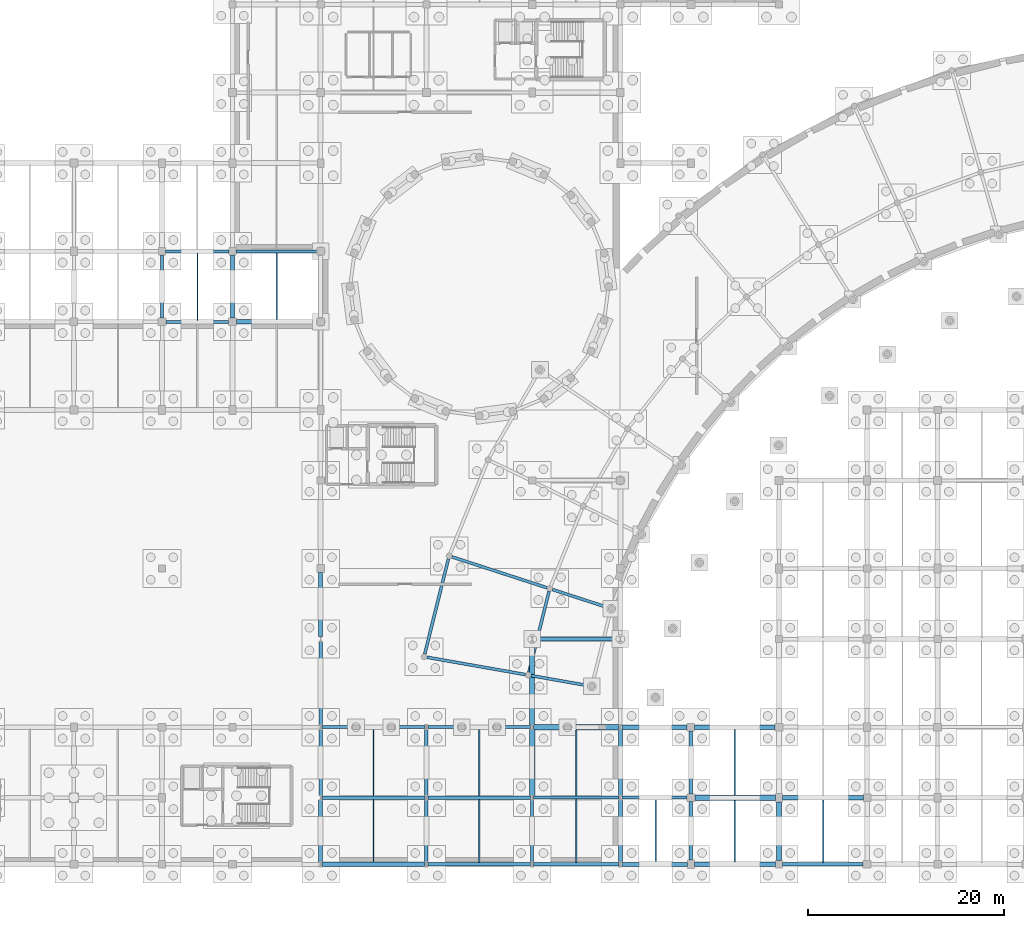
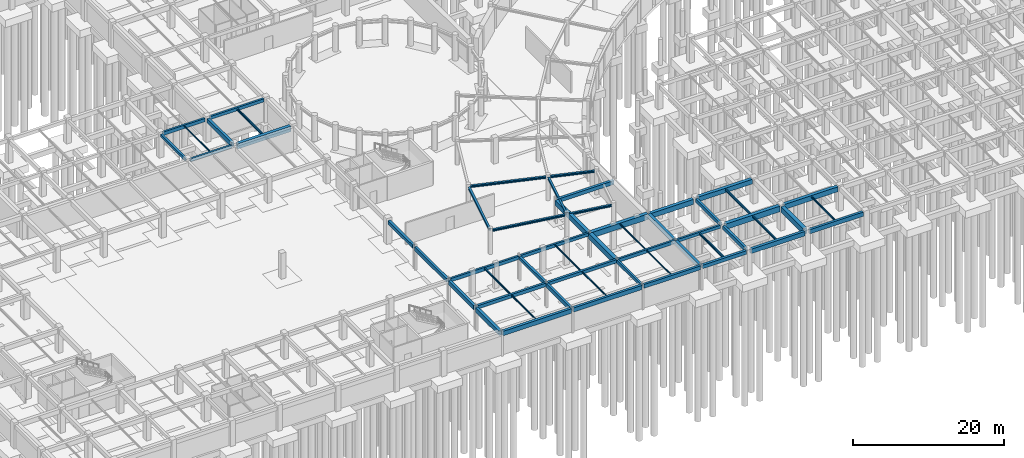
# One storey, part 19 of 42: 56 beams.
"""IFC4 building model written with IfcOpenShell, lengths in metres."""

from ifc_helpers import new_model, si_unit, direction, frame, origin, origin_2d, place, context, subcontext, project, spatial, rectangle, i_section, extrude, material, material_profile, profile_set, type_object, element, save


model = new_model("IFC4")

# Units and contexts
model_context = context("Model", 3, precision=1e-05, world=origin(), true_north=direction((0.0, 1.0)))
body_context = subcontext(model_context, "Body", "Model", "MODEL_VIEW")
ifc_project = project(units=[si_unit("LENGTHUNIT", "METRE"), si_unit("AREAUNIT", "SQUARE_METRE"), si_unit("VOLUMEUNIT", "CUBIC_METRE"), si_unit("PLANEANGLEUNIT", "RADIAN"), si_unit("MASSUNIT", "GRAM", prefix="KILO")], contexts=[model_context])

# Site, building, storey
site_placement = place(None, origin())
site = spatial("IfcSite", under=ifc_project, at=site_placement, CompositionType="ELEMENT")
building_placement = place(site_placement, origin())
building = spatial("IfcBuilding", under=site, at=building_placement, Name="Clarverna Civic Hall", CompositionType="ELEMENT")
storey_placement = place(building_placement, frame((0.0, 0.0, -4.199951171875)))
storey = spatial("IfcBuildingStorey", under=building, at=storey_placement, Name="B01", CompositionType="ELEMENT", Elevation=-4.199951171875)

# Beams
ifc_material_1 = material(Name="Concrete C35/45", Category="concrete")
ifc_material_profile_1 = material_profile(ifc_material_1, rectangle(XDim=0.5, YDim=0.85009765625, at=origin_2d()), Name="RC 500x850")
ifc_profile_set_1 = profile_set([ifc_material_profile_1], Name="Concrete C35/45")
beam_type_1 = type_object("IfcBeamType", Name="B-RC1", PredefinedType="BEAM", material=ifc_profile_set_1)
beam_1_placement = place(storey_placement, frame((58.0, 55.39990234375, 3.4150390625), z_axis=(1.0, 0.0, 0.0), x_axis=(0.0, 1.0, 0.0)))
element("IfcBeam", 1, at=beam_1_placement, inside=storey, type_object=beam_type_1, Name="B-RC1-004", PredefinedType="BEAM", context=body_context, shape_type="SweptSolid", body=[
    extrude(rectangle(XDim=0.5, YDim=0.85009765625, at=origin_2d()), origin(), (0.0, 0.0, 1.0), 8.199951171875),
])
ifc_material_profile_2 = material_profile(ifc_material_1, rectangle(XDim=0.35009765625, YDim=0.5, at=origin_2d()), Name="RC 350x500")
ifc_profile_set_2 = profile_set([ifc_material_profile_2], Name="Concrete C35/45")
beam_type_2 = type_object("IfcBeamType", Name="B-RC10", PredefinedType="BEAM", material=ifc_profile_set_2)
beam_2_placement = place(storey_placement, frame((77.550048828125, 6.800048828125, 3.699951171875), z_axis=(1.0, 0.0, 0.0), x_axis=(0.0, 1.0, 0.0)))
element("IfcBeam", 2, at=beam_2_placement, inside=storey, type_object=beam_type_2, Name="B-RC10-001", PredefinedType="BEAM", context=body_context, shape_type="SweptSolid", body=[
    extrude(rectangle(XDim=0.35009765625, YDim=0.5, at=origin_2d()), origin(), (0.0, 0.0, 1.0), 10.5),
])
ifc_material_profile_3 = material_profile(ifc_material_1, rectangle(XDim=0.300048828125, YDim=0.550048828125, at=origin_2d()), Name="RC 300x550")
ifc_profile_set_3 = profile_set([ifc_material_profile_3], Name="Concrete C35/45")
beam_type_3 = type_object("IfcBeamType", Name="B-RC11", PredefinedType="BEAM", material=ifc_profile_set_3)
beam_3_placement = place(storey_placement, frame((88.35009765625, 6.800048828125, 3.675048828125), z_axis=(1.0, 0.0, 0.0), x_axis=(0.0, 1.0, 0.0)))
element("IfcBeam", 3, at=beam_3_placement, inside=storey, type_object=beam_type_3, Name="B-RC11-001", PredefinedType="BEAM", context=body_context, shape_type="SweptSolid", body=[
    extrude(rectangle(XDim=0.300048828125, YDim=0.550048828125, at=origin_2d()), origin(), (0.0, 0.0, 1.0), 8.699951171875),
])
beam_4_placement = place(storey_placement, frame((66.75, 14.0, 3.675048828125), z_axis=(1.0, 0.0, 0.0), x_axis=(0.0, 1.0, 0.0)))
element("IfcBeam", 4, at=beam_4_placement, inside=storey, type_object=beam_type_3, Name="B-RC11-002", PredefinedType="BEAM", context=body_context, shape_type="SweptSolid", body=[
    extrude(rectangle(XDim=0.300048828125, YDim=0.550048828125, at=origin_2d()), origin(), (0.0, 0.0, 1.0), 10.5),
])
beam_5_placement = place(storey_placement, frame((50.77490234375, 62.60009765625, 3.56494140625), z_axis=(1.0, 0.0, 0.0), x_axis=(0.0, 1.0, 0.0)))
element("IfcBeam", 5, at=beam_5_placement, inside=storey, type_object=beam_type_3, Name="B-RC11-006", PredefinedType="BEAM", context=body_context, shape_type="SweptSolid", body=[
    extrude(rectangle(XDim=0.300048828125, YDim=0.550048828125, at=origin_2d()), origin(), (0.0, 0.0, 1.0), 6.4501953125),
])
ifc_material_profile_4 = material_profile(ifc_material_1, rectangle(XDim=0.300048828125, YDim=0.5, at=origin_2d()), Name="RC 300x500")
ifc_profile_set_4 = profile_set([ifc_material_profile_4], Name="Concrete C35/45")
beam_type_4 = type_object("IfcBeamType", Name="B-RC12", PredefinedType="BEAM", material=ifc_profile_set_4)
beam_6_placement = place(storey_placement, frame((97.35009765625, 6.800048828125, 3.699951171875), z_axis=(1.0, 0.0, 0.0), x_axis=(0.0, 1.0, 0.0)))
element("IfcBeam", 6, at=beam_6_placement, inside=storey, type_object=beam_type_4, Name="B-RC12-001", PredefinedType="BEAM", context=body_context, shape_type="SweptSolid", body=[
    extrude(rectangle(XDim=0.300048828125, YDim=0.5, at=origin_2d()), origin(), (0.0, 0.0, 1.0), 6.64990234375),
])
beam_7_placement = place(storey_placement, frame((77.550048828125, 14.0, 3.699951171875), z_axis=(1.0, 0.0, 0.0), x_axis=(0.0, 1.0, 0.0)))
element("IfcBeam", 7, at=beam_7_placement, inside=storey, type_object=beam_type_4, Name="B-RC12-002", PredefinedType="BEAM", context=body_context, shape_type="SweptSolid", body=[
    extrude(rectangle(XDim=0.300048828125, YDim=0.5, at=origin_2d()), origin(), (0.0, 0.0, 1.0), 10.5),
])
beam_8_placement = place(storey_placement, frame((57.97509765625, 62.60009765625, 3.58984375), z_axis=(1.0, 0.0, 0.0), x_axis=(0.0, 1.0, 0.0)))
element("IfcBeam", 8, at=beam_8_placement, inside=storey, type_object=beam_type_4, Name="B-RC12-006", PredefinedType="BEAM", context=body_context, shape_type="SweptSolid", body=[
    extrude(rectangle(XDim=0.300048828125, YDim=0.5, at=origin_2d()), origin(), (0.0, 0.0, 1.0), 8.25),
])
beam_9_placement = place(storey_placement, frame((88.199951171875, 0.25, 3.699951171875), z_axis=(0.0, 1.0, 0.0), x_axis=(-1.0, 0.0, 0.0)))
element("IfcBeam", 9, at=beam_9_placement, inside=storey, type_object=beam_type_4, Name="B-RC12-013", PredefinedType="BEAM", context=body_context, shape_type="SweptSolid", body=[
    extrude(rectangle(XDim=0.300048828125, YDim=0.5, at=origin_2d()), origin(), (0.0, 0.0, 1.0), 6.300048828125),
])
ifc_material_profile_5 = material_profile(ifc_material_1, rectangle(XDim=0.550048828125, YDim=0.89990234375, at=origin_2d()), Name="RC 550x900")
ifc_profile_set_5 = profile_set([ifc_material_profile_5], Name="Concrete C35/45")
beam_type_5 = type_object("IfcBeamType", Name="B-RC13", PredefinedType="BEAM", material=ifc_profile_set_5)
beam_10_placement = place(storey_placement, frame((104.800048828125, 6.800048828125, 3.5), z_axis=(1.0, 0.0, 0.0), x_axis=(0.0, 1.0, 0.0)))
element("IfcBeam", 10, at=beam_10_placement, inside=storey, type_object=beam_type_5, Name="B-RC13-001", PredefinedType="BEAM", context=body_context, shape_type="SweptSolid", body=[
    extrude(rectangle(XDim=0.550048828125, YDim=0.89990234375, at=origin_2d()), origin(), (0.0, 0.0, 1.0), 8.25),
])
beam_11_placement = place(storey_placement, frame((88.35009765625, 14.0, 3.5), z_axis=(1.0, 0.0, 0.0), x_axis=(0.0, 1.0, 0.0)))
element("IfcBeam", 11, at=beam_11_placement, inside=storey, type_object=beam_type_5, Name="B-RC13-002", PredefinedType="BEAM", context=body_context, shape_type="SweptSolid", body=[
    extrude(rectangle(XDim=0.550048828125, YDim=0.89990234375, at=origin_2d()), origin(), (0.0, 0.0, 1.0), 8.699951171875),
])
beam_12_placement = place(storey_placement, frame((88.199951171875, 7.050048828125, 3.5), z_axis=(0.0, 1.0, 0.0), x_axis=(-1.0, 0.0, 0.0)))
element("IfcBeam", 12, at=beam_12_placement, inside=storey, type_object=beam_type_5, Name="B-RC13-011", PredefinedType="BEAM", context=body_context, shape_type="SweptSolid", body=[
    extrude(rectangle(XDim=0.550048828125, YDim=0.89990234375, at=origin_2d()), origin(), (0.0, 0.0, 1.0), 6.699951171875),
])
beam_13_placement = place(storey_placement, frame((113.39990234375, 0.375, 3.5), z_axis=(0.0, 1.0, 0.0), x_axis=(-1.0, 0.0, 0.0)))
element("IfcBeam", 13, at=beam_13_placement, inside=storey, type_object=beam_type_5, Name="B-RC13-012", PredefinedType="BEAM", context=body_context, shape_type="SweptSolid", body=[
    extrude(rectangle(XDim=0.550048828125, YDim=0.89990234375, at=origin_2d()), origin(), (0.0, 0.0, 1.0), 5.97509765625),
])
ifc_material_profile_6 = material_profile(ifc_material_1, rectangle(XDim=0.5, YDim=0.800048828125, at=origin_2d()), Name="RC 500x800")
ifc_profile_set_6 = profile_set([ifc_material_profile_6], Name="Concrete C35/45")
beam_type_6 = type_object("IfcBeamType", Name="B-RC14", PredefinedType="BEAM", material=ifc_profile_set_6)
beam_14_placement = place(storey_placement, frame((113.75, 6.800048828125, 3.550048828125), z_axis=(1.0, 0.0, 0.0), x_axis=(0.0, 1.0, 0.0)))
element("IfcBeam", 14, at=beam_14_placement, inside=storey, type_object=beam_type_6, Name="B-RC14-001", PredefinedType="BEAM", context=body_context, shape_type="SweptSolid", body=[
    extrude(rectangle(XDim=0.5, YDim=0.800048828125, at=origin_2d()), origin(), (0.0, 0.0, 1.0), 8.27490234375),
])
beam_15_placement = place(storey_placement, frame((97.35009765625, 14.0, 3.43994140625), z_axis=(1.0, 0.0, 0.0), x_axis=(0.0, 1.0, 0.0)))
element("IfcBeam", 15, at=beam_15_placement, inside=storey, type_object=beam_type_6, Name="B-RC14-002", PredefinedType="BEAM", context=body_context, shape_type="SweptSolid", body=[
    extrude(rectangle(XDim=0.5, YDim=0.800048828125, at=origin_2d()), origin(), (0.0, 0.0, 1.0), 6.6748046875),
])
beam_16_placement = place(storey_placement, frame((88.199951171875, 14.25, 3.43994140625), z_axis=(0.0, 1.0, 0.0), x_axis=(-1.0, 0.0, 0.0)))
element("IfcBeam", 16, at=beam_16_placement, inside=storey, type_object=beam_type_6, Name="B-RC14-012", PredefinedType="BEAM", context=body_context, shape_type="SweptSolid", body=[
    extrude(rectangle(XDim=0.5, YDim=0.800048828125, at=origin_2d()), origin(), (0.0, 0.0, 1.0), 8.5),
])
ifc_material_profile_7 = material_profile(ifc_material_1, rectangle(XDim=0.5, YDim=0.75, at=origin_2d()), Name="RC 500x750")
ifc_profile_set_7 = profile_set([ifc_material_profile_7], Name="Concrete C35/45")
beam_type_7 = type_object("IfcBeamType", Name="B-RC15", PredefinedType="BEAM", material=ifc_profile_set_7)
beam_17_placement = place(storey_placement, frame((104.77490234375, 14.0, 3.574951171875), z_axis=(1.0, 0.0, 0.0), x_axis=(0.0, 1.0, 0.0)))
element("IfcBeam", 17, at=beam_17_placement, inside=storey, type_object=beam_type_7, Name="B-RC15-002", PredefinedType="BEAM", context=body_context, shape_type="SweptSolid", body=[
    extrude(rectangle(XDim=0.5, YDim=0.75, at=origin_2d()), origin(), (0.0, 0.0, 1.0), 8.22509765625),
])
ifc_material_profile_8 = material_profile(ifc_material_1, rectangle(XDim=0.300048828125, YDim=0.449951171875, at=origin_2d()), Name="RC 300x450")
ifc_profile_set_8 = profile_set([ifc_material_profile_8], Name="Concrete C35/45")
beam_type_8 = type_object("IfcBeamType", Name="B-RC18", PredefinedType="BEAM", material=ifc_profile_set_8)
beam_18_placement = place(storey_placement, frame((50.800048828125, 55.39990234375, 3.614990234375), z_axis=(1.0, 0.0, 0.0), x_axis=(0.0, 1.0, 0.0)))
element("IfcBeam", 18, at=beam_18_placement, inside=storey, type_object=beam_type_8, Name="B-RC18-005", PredefinedType="BEAM", context=body_context, shape_type="SweptSolid", body=[
    extrude(rectangle(XDim=0.300048828125, YDim=0.449951171875, at=origin_2d()), origin(), (0.0, 0.0, 1.0), 6.39990234375),
])
beam_19_placement = place(storey_placement, frame((50.39990234375, 55.800048828125, 3.614990234375), z_axis=(0.0, 1.0, 0.0), x_axis=(-1.0, 0.0, 0.0)))
element("IfcBeam", 19, at=beam_19_placement, inside=storey, type_object=beam_type_8, Name="B-RC18-010", PredefinedType="BEAM", context=body_context, shape_type="SweptSolid", body=[
    extrude(rectangle(XDim=0.300048828125, YDim=0.449951171875, at=origin_2d()), origin(), (0.0, 0.0, 1.0), 6.425048828125),
])
ifc_material_profile_9 = material_profile(ifc_material_1, rectangle(XDim=0.39990234375, YDim=0.699951171875, at=origin_2d()), Name="RC 400x700")
ifc_profile_set_9 = profile_set([ifc_material_profile_9], Name="Concrete C35/45")
beam_type_9 = type_object("IfcBeamType", Name="B-RC5", PredefinedType="BEAM", material=ifc_profile_set_9)
beam_20_placement = place(storey_placement, frame((57.60009765625, 55.800048828125, 3.489990234375), z_axis=(0.0, 1.0, 0.0), x_axis=(-1.0, 0.0, 0.0)))
element("IfcBeam", 20, at=beam_20_placement, inside=storey, type_object=beam_type_9, Name="B-RC5-013", PredefinedType="BEAM", context=body_context, shape_type="SweptSolid", body=[
    extrude(rectangle(XDim=0.39990234375, YDim=0.699951171875, at=origin_2d()), origin(), (0.0, 0.0, 1.0), 6.425048828125),
])
ifc_material_profile_10 = material_profile(ifc_material_1, rectangle(XDim=0.39990234375, YDim=0.60009765625, at=origin_2d()), Name="RC 400x600")
ifc_profile_set_10 = profile_set([ifc_material_profile_10], Name="Concrete C35/45")
beam_type_10 = type_object("IfcBeamType", Name="B-RC7", PredefinedType="BEAM", material=ifc_profile_set_10)
beam_21_placement = place(storey_placement, frame((88.35009765625, 23.0, 3.5400390625), z_axis=(1.0, 0.0, 0.0), x_axis=(0.0, 1.0, 0.0)))
element("IfcBeam", 21, at=beam_21_placement, inside=storey, type_object=beam_type_10, Name="B-RC7-002", PredefinedType="BEAM", context=body_context, shape_type="SweptSolid", body=[
    extrude(rectangle(XDim=0.39990234375, YDim=0.60009765625, at=origin_2d()), origin(), (0.0, 0.0, 1.0), 8.699951171875),
])
ifc_material_profile_11 = material_profile(ifc_material_1, rectangle(XDim=0.35009765625, YDim=0.60009765625, at=origin_2d()), Name="RC 350x600")
ifc_profile_set_11 = profile_set([ifc_material_profile_11], Name="Concrete C35/45")
beam_type_11 = type_object("IfcBeamType", Name="B-RC8", PredefinedType="BEAM", material=ifc_profile_set_11)
beam_22_placement = place(storey_placement, frame((77.39990234375, 0.25, 3.64990234375), z_axis=(0.0, 1.0, 0.0), x_axis=(-1.0, 0.0, 0.0)))
element("IfcBeam", 22, at=beam_22_placement, inside=storey, type_object=beam_type_11, Name="B-RC8-011", PredefinedType="BEAM", context=body_context, shape_type="SweptSolid", body=[
    extrude(rectangle(XDim=0.35009765625, YDim=0.60009765625, at=origin_2d()), origin(), (0.0, 0.0, 1.0), 6.300048828125),
])
beam_23_placement = place(storey_placement, frame((104.39990234375, 0.449951171875, 3.64990234375), z_axis=(0.0, 1.0, 0.0), x_axis=(-1.0, 0.0, 0.0)))
element("IfcBeam", 23, at=beam_23_placement, inside=storey, type_object=beam_type_11, Name="B-RC8-012", PredefinedType="BEAM", context=body_context, shape_type="SweptSolid", body=[
    extrude(rectangle(XDim=0.35009765625, YDim=0.60009765625, at=origin_2d()), origin(), (0.0, 0.0, 1.0), 5.949951171875),
])
ifc_material_profile_12 = material_profile(ifc_material_1, rectangle(XDim=0.35009765625, YDim=0.550048828125, at=origin_2d()), Name="RC 350x550")
ifc_profile_set_12 = profile_set([ifc_material_profile_12], Name="Concrete C35/45")
beam_type_12 = type_object("IfcBeamType", Name="B-RC9", PredefinedType="BEAM", material=ifc_profile_set_12)
beam_24_placement = place(storey_placement, frame((66.75, 6.800048828125, 3.675048828125), z_axis=(1.0, 0.0, 0.0), x_axis=(0.0, 1.0, 0.0)))
element("IfcBeam", 24, at=beam_24_placement, inside=storey, type_object=beam_type_12, Name="B-RC9-001", PredefinedType="BEAM", context=body_context, shape_type="SweptSolid", body=[
    extrude(rectangle(XDim=0.35009765625, YDim=0.550048828125, at=origin_2d()), origin(), (0.0, 0.0, 1.0), 10.5),
])
beam_25_placement = place(storey_placement, frame((77.39990234375, 7.050048828125, 3.675048828125), z_axis=(0.0, 1.0, 0.0), x_axis=(-1.0, 0.0, 0.0)))
element("IfcBeam", 25, at=beam_25_placement, inside=storey, type_object=beam_type_12, Name="B-RC9-011", PredefinedType="BEAM", context=body_context, shape_type="SweptSolid", body=[
    extrude(rectangle(XDim=0.35009765625, YDim=0.550048828125, at=origin_2d()), origin(), (0.0, 0.0, 1.0), 6.699951171875),
])
beam_26_placement = place(storey_placement, frame((104.39990234375, 7.199951171875, 3.675048828125), z_axis=(0.0, 1.0, 0.0), x_axis=(-1.0, 0.0, 0.0)))
element("IfcBeam", 26, at=beam_26_placement, inside=storey, type_object=beam_type_12, Name="B-RC9-012", PredefinedType="BEAM", context=body_context, shape_type="SweptSolid", body=[
    extrude(rectangle(XDim=0.35009765625, YDim=0.550048828125, at=origin_2d()), origin(), (0.0, 0.0, 1.0), 6.425048828125),
])
ifc_material_profile_13 = material_profile(ifc_material_1, rectangle(XDim=0.419921875, YDim=0.719970703125, at=origin_2d()), Name="RC 420x720")
ifc_profile_set_13 = profile_set([ifc_material_profile_13], Name="Concrete C35/45")
beam_type_13 = type_object("IfcBeamType", Name="B-SP1", PredefinedType="SPANDREL", material=ifc_profile_set_13)
beam_27_placement = place(storey_placement, frame((66.75, 0.0, 3.58984375), z_axis=(1.0, 0.0, 0.0), x_axis=(0.0, 1.0, 0.0)))
element("IfcBeam", 27, at=beam_27_placement, inside=storey, type_object=beam_type_13, Name="B-SP1-003", PredefinedType="SPANDREL", context=body_context, shape_type="SweptSolid", body=[
    extrude(rectangle(XDim=0.419921875, YDim=0.719970703125, at=origin_2d()), origin(), (0.0, 0.0, 1.0), 10.5),
])
beam_28_placement = place(storey_placement, frame((104.75, 0.0, 3.58984375), z_axis=(1.0, 0.0, 0.0), x_axis=(0.0, 1.0, 0.0)))
element("IfcBeam", 28, at=beam_28_placement, inside=storey, type_object=beam_type_13, Name="B-SP1-004", PredefinedType="SPANDREL", context=body_context, shape_type="SweptSolid", body=[
    extrude(rectangle(XDim=0.419921875, YDim=0.719970703125, at=origin_2d()), origin(), (0.0, 0.0, 1.0), 8.27490234375),
])
beam_29_placement = place(storey_placement, frame((66.60009765625, 0.25, 3.47998046875), z_axis=(0.0, 1.0, 0.0), x_axis=(-1.0, 0.0, 0.0)))
element("IfcBeam", 29, at=beam_29_placement, inside=storey, type_object=beam_type_13, Name="B-SP1-022", PredefinedType="SPANDREL", context=body_context, shape_type="SweptSolid", body=[
    extrude(rectangle(XDim=0.419921875, YDim=0.719970703125, at=origin_2d()), origin(), (0.0, 0.0, 1.0), 6.300048828125),
])
beam_30_placement = place(storey_placement, frame((97.199951171875, 7.050048828125, 3.58984375), z_axis=(0.0, 1.0, 0.0), x_axis=(-1.0, 0.0, 0.0)))
element("IfcBeam", 30, at=beam_30_placement, inside=storey, type_object=beam_type_13, Name="B-SP1-026", PredefinedType="SPANDREL", context=body_context, shape_type="SweptSolid", body=[
    extrude(rectangle(XDim=0.419921875, YDim=0.719970703125, at=origin_2d()), origin(), (0.0, 0.0, 1.0), 6.699951171875),
])
ifc_material_profile_14 = material_profile(ifc_material_1, rectangle(XDim=0.3798828125, YDim=0.679931640625, at=origin_2d()), Name="RC 380x680")
ifc_profile_set_14 = profile_set([ifc_material_profile_14], Name="Concrete C35/45")
beam_type_14 = type_object("IfcBeamType", Name="B-SP2", PredefinedType="SPANDREL", material=ifc_profile_set_14)
beam_31_placement = place(storey_placement, frame((77.550048828125, 0.0, 3.60986328125), z_axis=(1.0, 0.0, 0.0), x_axis=(0.0, 1.0, 0.0)))
element("IfcBeam", 31, at=beam_31_placement, inside=storey, type_object=beam_type_14, Name="B-SP2-003", PredefinedType="SPANDREL", context=body_context, shape_type="SweptSolid", body=[
    extrude(rectangle(XDim=0.3798828125, YDim=0.679931640625, at=origin_2d()), origin(), (0.0, 0.0, 1.0), 10.5),
])
beam_32_placement = place(storey_placement, frame((113.77490234375, 0.0, 3.60986328125), z_axis=(1.0, 0.0, 0.0), x_axis=(0.0, 1.0, 0.0)))
element("IfcBeam", 32, at=beam_32_placement, inside=storey, type_object=beam_type_14, Name="B-SP2-004", PredefinedType="SPANDREL", context=body_context, shape_type="SweptSolid", body=[
    extrude(rectangle(XDim=0.3798828125, YDim=0.679931640625, at=origin_2d()), origin(), (0.0, 0.0, 1.0), 8.22509765625),
])
beam_33_placement = place(storey_placement, frame((66.60009765625, 7.050048828125, 3.5), z_axis=(0.0, 1.0, 0.0), x_axis=(-1.0, 0.0, 0.0)))
element("IfcBeam", 33, at=beam_33_placement, inside=storey, type_object=beam_type_14, Name="B-SP2-022", PredefinedType="SPANDREL", context=body_context, shape_type="SweptSolid", body=[
    extrude(rectangle(XDim=0.3798828125, YDim=0.679931640625, at=origin_2d()), origin(), (0.0, 0.0, 1.0), 6.699951171875),
])
ifc_material_profile_15 = material_profile(ifc_material_1, rectangle(XDim=0.360107421875, YDim=0.6201171875, at=origin_2d()), Name="RC 360x620")
ifc_profile_set_15 = profile_set([ifc_material_profile_15], Name="Concrete C35/45")
beam_type_15 = type_object("IfcBeamType", Name="B-SP3", PredefinedType="SPANDREL", material=ifc_profile_set_15)
beam_34_placement = place(storey_placement, frame((88.35009765625, 0.0, 3.639892578125), z_axis=(1.0, 0.0, 0.0), x_axis=(0.0, 1.0, 0.0)))
element("IfcBeam", 34, at=beam_34_placement, inside=storey, type_object=beam_type_15, Name="B-SP3-003", PredefinedType="SPANDREL", context=body_context, shape_type="SweptSolid", body=[
    extrude(rectangle(XDim=0.360107421875, YDim=0.6201171875, at=origin_2d()), origin(), (0.0, 0.0, 1.0), 8.699951171875),
])
beam_35_placement = place(storey_placement, frame((66.60009765625, 14.25, 3.530029296875), z_axis=(0.0, 1.0, 0.0), x_axis=(-1.0, 0.0, 0.0)))
element("IfcBeam", 35, at=beam_35_placement, inside=storey, type_object=beam_type_15, Name="B-SP3-022", PredefinedType="SPANDREL", context=body_context, shape_type="SweptSolid", body=[
    extrude(rectangle(XDim=0.360107421875, YDim=0.6201171875, at=origin_2d()), origin(), (0.0, 0.0, 1.0), 8.5),
])
ifc_material_profile_16 = material_profile(ifc_material_1, rectangle(XDim=0.39990234375, YDim=0.56005859375, at=origin_2d()), Name="RC 400x560")
ifc_profile_set_16 = profile_set([ifc_material_profile_16], Name="Concrete C35/45")
beam_type_16 = type_object("IfcBeamType", Name="B-SP4", PredefinedType="SPANDREL", material=ifc_profile_set_16)
beam_36_placement = place(storey_placement, frame((97.35009765625, 0.0, 3.669921875), z_axis=(1.0, 0.0, 0.0), x_axis=(0.0, 1.0, 0.0)))
element("IfcBeam", 36, at=beam_36_placement, inside=storey, type_object=beam_type_16, Name="B-SP4-003", PredefinedType="SPANDREL", context=body_context, shape_type="SweptSolid", body=[
    extrude(rectangle(XDim=0.39990234375, YDim=0.56005859375, at=origin_2d()), origin(), (0.0, 0.0, 1.0), 6.699951171875),
])
beam_37_placement = place(storey_placement, frame((66.60009765625, 23.25, 3.56005859375), z_axis=(0.0, 1.0, 0.0), x_axis=(-1.0, 0.0, 0.0)))
element("IfcBeam", 37, at=beam_37_placement, inside=storey, type_object=beam_type_16, Name="B-SP4-022", PredefinedType="SPANDREL", context=body_context, shape_type="SweptSolid", body=[
    extrude(rectangle(XDim=0.39990234375, YDim=0.56005859375, at=origin_2d()), origin(), (0.0, 0.0, 1.0), 6.550048828125),
])
beam_38_placement = place(storey_placement, frame((97.199951171875, 0.25, 3.669921875), z_axis=(0.0, 1.0, 0.0), x_axis=(-1.0, 0.0, 0.0)))
element("IfcBeam", 38, at=beam_38_placement, inside=storey, type_object=beam_type_16, Name="B-SP4-025", PredefinedType="SPANDREL", context=body_context, shape_type="SweptSolid", body=[
    extrude(rectangle(XDim=0.39990234375, YDim=0.56005859375, at=origin_2d()), origin(), (0.0, 0.0, 1.0), 6.300048828125),
])
ifc_material_2 = material(Name="Steel S355", Category="steel")
ifc_material_profile_17 = material_profile(ifc_material_2, i_section(OverallWidth=0.300048828125, OverallDepth=0.330078125, WebThickness=0.009521484375, FlangeThickness=0.0166015625, FilletRadius=0.027099609375, at=origin_2d()), Name="HEA 340")
ifc_profile_set_17 = profile_set([ifc_material_profile_17], Name="Steel S355")
beam_type_17 = type_object("IfcBeamType", Name="B-ST8", PredefinedType="BEAM", material=ifc_profile_set_17)
beam_39_placement = place(storey_placement, frame((89.922119140625, 27.871337890625, 3.675048828125), z_axis=(-0.241929209241, -0.970293902751, 0.0), x_axis=(0.970293902751, -0.241929209241, 0.0)))
element("IfcBeam", 39, at=beam_39_placement, inside=storey, type_object=beam_type_17, Name="B-ST8-018", PredefinedType="BEAM", context=body_context, shape_type="SweptSolid", body=[
    extrude(i_section(OverallWidth=0.300048828125, OverallDepth=0.330078125, WebThickness=0.009521484375, FlangeThickness=0.0166015625, FilletRadius=0.027099609375, at=origin_2d()), origin(), (0.0, 0.0, 1.0), 8.526123046875),
])
beam_40_placement = place(storey_placement, frame((79.65087890625, 31.208740234375, 3.675048828125), z_axis=(-0.241951568454, -0.970288327521, 0.0), x_axis=(0.970288327521, -0.241951568454, 0.0)))
element("IfcBeam", 40, at=beam_40_placement, inside=storey, type_object=beam_type_17, Name="B-ST8-025", PredefinedType="BEAM", context=body_context, shape_type="SweptSolid", body=[
    extrude(i_section(OverallWidth=0.300048828125, OverallDepth=0.330078125, WebThickness=0.009521484375, FlangeThickness=0.0166015625, FilletRadius=0.027099609375, at=origin_2d()), origin(), (0.0, 0.0, 1.0), 10.032958984375),
])
ifc_material_profile_18 = material_profile(ifc_material_2, i_section(OverallWidth=0.300048828125, OverallDepth=0.31005859375, WebThickness=0.009033203125, FlangeThickness=0.015380859375, FilletRadius=0.027099609375, at=origin_2d()), Name="HEA 320")
ifc_profile_set_18 = profile_set([ifc_material_profile_18], Name="Steel S355")
beam_type_18 = type_object("IfcBeamType", Name="B-ST9", PredefinedType="BEAM", material=ifc_profile_set_18)
beam_41_placement = place(storey_placement, frame((95.9970703125, 26.196533203125, 3.68505859375), z_axis=(-0.951060843481, 0.309003676349, 0.0), x_axis=(-0.309003676349, -0.951060843481, 0.0)))
element("IfcBeam", 41, at=beam_41_placement, inside=storey, type_object=beam_type_18, Name="B-ST9-016", PredefinedType="BEAM", context=body_context, shape_type="SweptSolid", body=[
    extrude(i_section(OverallWidth=0.300048828125, OverallDepth=0.31005859375, WebThickness=0.009033203125, FlangeThickness=0.015380859375, FilletRadius=0.027099609375, at=origin_2d()), origin(), (0.0, 0.0, 1.0), 6.030029296875),
])
beam_42_placement = place(storey_placement, frame((89.719970703125, 28.236083984375, 3.68505859375), z_axis=(-0.951059145157, 0.309008903453, 0.0), x_axis=(-0.309008903453, -0.951059145157, 0.0)))
element("IfcBeam", 42, at=beam_42_placement, inside=storey, type_object=beam_type_18, Name="B-ST9-017", PredefinedType="BEAM", context=body_context, shape_type="SweptSolid", body=[
    extrude(i_section(OverallWidth=0.300048828125, OverallDepth=0.31005859375, WebThickness=0.009033203125, FlangeThickness=0.015380859375, FilletRadius=0.027099609375, at=origin_2d()), origin(), (0.0, 0.0, 1.0), 10.22998046875),
])
beam_43_placement = place(storey_placement, frame((94.009521484375, 18.225341796875, 3.68505859375), z_axis=(-0.984806376161, 0.173655985995, 0.0), x_axis=(-0.173655985995, -0.984806376161, 0.0)))
element("IfcBeam", 43, at=beam_43_placement, inside=storey, type_object=beam_type_18, Name="B-ST9-018", PredefinedType="BEAM", context=body_context, shape_type="SweptSolid", body=[
    extrude(i_section(OverallWidth=0.300048828125, OverallDepth=0.31005859375, WebThickness=0.009033203125, FlangeThickness=0.015380859375, FilletRadius=0.027099609375, at=origin_2d()), origin(), (0.0, 0.0, 1.0), 6.02978515625),
])
beam_44_placement = place(storey_placement, frame((87.509765625, 19.371337890625, 3.68505859375), z_axis=(-0.984808295236, 0.173645102536, 0.0), x_axis=(-0.173645102536, -0.984808295236, 0.0)))
element("IfcBeam", 44, at=beam_44_placement, inside=storey, type_object=beam_type_18, Name="B-ST9-019", PredefinedType="BEAM", context=body_context, shape_type="SweptSolid", body=[
    extrude(i_section(OverallWidth=0.300048828125, OverallDepth=0.31005859375, WebThickness=0.009033203125, FlangeThickness=0.015380859375, FilletRadius=0.027099609375, at=origin_2d()), origin(), (0.0, 0.0, 1.0), 10.22998046875),
])
ifc_material_profile_19 = material_profile(ifc_material_2, i_section(OverallWidth=0.169921875, OverallDepth=0.360107421875, WebThickness=0.008056640625, FlangeThickness=0.0126953125, FilletRadius=0.01806640625, at=origin_2d()), Name="IPE 360")
ifc_profile_set_19 = profile_set([ifc_material_profile_19], Name="Steel S355")
beam_type_19 = type_object("IfcBeamType", Name="J-ST1", PredefinedType="JOIST", material=ifc_profile_set_19)
beam_45_placement = place(storey_placement, frame((100.800048828125, 0.199951171875, 3.77001953125), z_axis=(0.0, 1.0, 0.0), x_axis=(-1.0, 0.0, 0.0)))
element("IfcBeam", 45, at=beam_45_placement, inside=storey, type_object=beam_type_19, Name="J-ST1-002", PredefinedType="JOIST", context=body_context, shape_type="SweptSolid", body=[
    extrude(i_section(OverallWidth=0.169921875, OverallDepth=0.360107421875, WebThickness=0.008056640625, FlangeThickness=0.0126953125, FilletRadius=0.01806640625, at=origin_2d()), origin(), (0.0, 0.0, 1.0), 6.449951171875),
])
beam_46_placement = place(storey_placement, frame((108.89990234375, 7.074951171875, 3.77001953125), z_axis=(0.0, 1.0, 0.0), x_axis=(-1.0, 0.0, 0.0)))
element("IfcBeam", 46, at=beam_46_placement, inside=storey, type_object=beam_type_19, Name="J-ST1-005", PredefinedType="JOIST", context=body_context, shape_type="SweptSolid", body=[
    extrude(i_section(OverallWidth=0.169921875, OverallDepth=0.360107421875, WebThickness=0.008056640625, FlangeThickness=0.0126953125, FilletRadius=0.01806640625, at=origin_2d()), origin(), (0.0, 0.0, 1.0), 6.675048828125),
])
beam_47_placement = place(storey_placement, frame((62.10009765625, 55.64990234375, 3.659912109375), z_axis=(0.0, 1.0, 0.0), x_axis=(-1.0, 0.0, 0.0)))
element("IfcBeam", 47, at=beam_47_placement, inside=storey, type_object=beam_type_19, Name="J-ST1-014", PredefinedType="JOIST", context=body_context, shape_type="SweptSolid", body=[
    extrude(i_section(OverallWidth=0.169921875, OverallDepth=0.360107421875, WebThickness=0.008056640625, FlangeThickness=0.0126953125, FilletRadius=0.01806640625, at=origin_2d()), origin(), (0.0, 0.0, 1.0), 6.800048828125),
])
ifc_material_profile_20 = material_profile(ifc_material_2, i_section(OverallWidth=0.159912109375, OverallDepth=0.330078125, WebThickness=0.007568359375, FlangeThickness=0.011474609375, FilletRadius=0.01806640625, at=origin_2d()), Name="IPE 330")
ifc_profile_set_20 = profile_set([ifc_material_profile_20], Name="Steel S355")
beam_type_20 = type_object("IfcBeamType", Name="J-ST2", PredefinedType="JOIST", material=ifc_profile_set_20)
beam_48_placement = place(storey_placement, frame((108.89990234375, 0.2099609375, 3.784912109375), z_axis=(0.0, 1.0, 0.0), x_axis=(-1.0, 0.0, 0.0)))
element("IfcBeam", 48, at=beam_48_placement, inside=storey, type_object=beam_type_20, Name="J-ST2-002", PredefinedType="JOIST", context=body_context, shape_type="SweptSolid", body=[
    extrude(i_section(OverallWidth=0.159912109375, OverallDepth=0.330078125, WebThickness=0.007568359375, FlangeThickness=0.011474609375, FilletRadius=0.01806640625, at=origin_2d()), origin(), (0.0, 0.0, 1.0), 6.31494140625),
])
ifc_material_profile_21 = material_profile(ifc_material_2, i_section(OverallWidth=0.14990234375, OverallDepth=0.300048828125, WebThickness=0.007080078125, FlangeThickness=0.0107421875, FilletRadius=0.014892578125, at=origin_2d()), Name="IPE 300")
ifc_profile_set_21 = profile_set([ifc_material_profile_21], Name="Steel S355")
beam_type_21 = type_object("IfcBeamType", Name="J-ST3", PredefinedType="JOIST", material=ifc_profile_set_21)
beam_49_placement = place(storey_placement, frame((117.89990234375, 0.18994140625, 3.800048828125), z_axis=(0.0, 1.0, 0.0), x_axis=(-1.0, 0.0, 0.0)))
element("IfcBeam", 49, at=beam_49_placement, inside=storey, type_object=beam_type_21, Name="J-ST3-002", PredefinedType="JOIST", context=body_context, shape_type="SweptSolid", body=[
    extrude(i_section(OverallWidth=0.14990234375, OverallDepth=0.300048828125, WebThickness=0.007080078125, FlangeThickness=0.0107421875, FilletRadius=0.014892578125, at=origin_2d()), origin(), (0.0, 0.0, 1.0), 6.360107421875),
])
ifc_material_profile_22 = material_profile(ifc_material_2, i_section(OverallWidth=0.135009765625, OverallDepth=0.27001953125, WebThickness=0.006591796875, FlangeThickness=0.01025390625, FilletRadius=0.014892578125, at=origin_2d()), Name="IPE 270")
ifc_profile_set_22 = profile_set([ifc_material_profile_22], Name="Steel S355")
beam_type_22 = type_object("IfcBeamType", Name="J-ST4", PredefinedType="JOIST", material=ifc_profile_set_22)
beam_50_placement = place(storey_placement, frame((72.0, 0.2099609375, 3.81494140625), z_axis=(0.0, 1.0, 0.0), x_axis=(-1.0, 0.0, 0.0)))
element("IfcBeam", 50, at=beam_50_placement, inside=storey, type_object=beam_type_22, Name="J-ST4-002", PredefinedType="JOIST", context=body_context, shape_type="SweptSolid", body=[
    extrude(i_section(OverallWidth=0.135009765625, OverallDepth=0.27001953125, WebThickness=0.006591796875, FlangeThickness=0.01025390625, FilletRadius=0.014892578125, at=origin_2d()), origin(), (0.0, 0.0, 1.0), 6.4150390625),
])
beam_51_placement = place(storey_placement, frame((72.0, 6.97509765625, 3.81494140625), z_axis=(0.0, 1.0, 0.0), x_axis=(-1.0, 0.0, 0.0)))
element("IfcBeam", 51, at=beam_51_placement, inside=storey, type_object=beam_type_22, Name="J-ST4-005", PredefinedType="JOIST", context=body_context, shape_type="SweptSolid", body=[
    extrude(i_section(OverallWidth=0.135009765625, OverallDepth=0.27001953125, WebThickness=0.006591796875, FlangeThickness=0.01025390625, FilletRadius=0.014892578125, at=origin_2d()), origin(), (0.0, 0.0, 1.0), 6.875),
])
ifc_material_profile_23 = material_profile(ifc_material_2, i_section(OverallWidth=0.1201171875, OverallDepth=0.239990234375, WebThickness=0.006103515625, FlangeThickness=0.009765625, FilletRadius=0.014892578125, at=origin_2d()), Name="IPE 240")
ifc_profile_set_23 = profile_set([ifc_material_profile_23], Name="Steel S355")
beam_type_23 = type_object("IfcBeamType", Name="J-ST5", PredefinedType="JOIST", material=ifc_profile_set_23)
beam_52_placement = place(storey_placement, frame((82.800048828125, 0.18994140625, 3.829833984375), z_axis=(0.0, 1.0, 0.0), x_axis=(-1.0, 0.0, 0.0)))
element("IfcBeam", 52, at=beam_52_placement, inside=storey, type_object=beam_type_23, Name="J-ST5-002", PredefinedType="JOIST", context=body_context, shape_type="SweptSolid", body=[
    extrude(i_section(OverallWidth=0.1201171875, OverallDepth=0.239990234375, WebThickness=0.006103515625, FlangeThickness=0.009765625, FilletRadius=0.014892578125, at=origin_2d()), origin(), (0.0, 0.0, 1.0), 6.43505859375),
])
beam_53_placement = place(storey_placement, frame((82.800048828125, 6.97509765625, 3.829833984375), z_axis=(0.0, 1.0, 0.0), x_axis=(-1.0, 0.0, 0.0)))
element("IfcBeam", 53, at=beam_53_placement, inside=storey, type_object=beam_type_23, Name="J-ST5-005", PredefinedType="JOIST", context=body_context, shape_type="SweptSolid", body=[
    extrude(i_section(OverallWidth=0.1201171875, OverallDepth=0.239990234375, WebThickness=0.006103515625, FlangeThickness=0.009765625, FilletRadius=0.014892578125, at=origin_2d()), origin(), (0.0, 0.0, 1.0), 6.875),
])
ifc_material_profile_24 = material_profile(ifc_material_2, i_section(OverallWidth=0.110107421875, OverallDepth=0.219970703125, WebThickness=0.005859375, FlangeThickness=0.00927734375, FilletRadius=0.011962890625, at=origin_2d()), Name="IPE 220")
ifc_profile_set_24 = profile_set([ifc_material_profile_24], Name="Steel S355")
beam_type_24 = type_object("IfcBeamType", Name="J-ST6", PredefinedType="JOIST", material=ifc_profile_set_24)
beam_54_placement = place(storey_placement, frame((92.699951171875, 0.179931640625, 3.83984375), z_axis=(0.0, 1.0, 0.0), x_axis=(-1.0, 0.0, 0.0)))
element("IfcBeam", 54, at=beam_54_placement, inside=storey, type_object=beam_type_24, Name="J-ST6-002", PredefinedType="JOIST", context=body_context, shape_type="SweptSolid", body=[
    extrude(i_section(OverallWidth=0.110107421875, OverallDepth=0.219970703125, WebThickness=0.005859375, FlangeThickness=0.00927734375, FilletRadius=0.011962890625, at=origin_2d()), origin(), (0.0, 0.0, 1.0), 6.469970703125),
])
beam_55_placement = place(storey_placement, frame((92.699951171875, 6.949951171875, 3.83984375), z_axis=(0.0, 1.0, 0.0), x_axis=(-1.0, 0.0, 0.0)))
element("IfcBeam", 55, at=beam_55_placement, inside=storey, type_object=beam_type_24, Name="J-ST6-005", PredefinedType="JOIST", context=body_context, shape_type="SweptSolid", body=[
    extrude(i_section(OverallWidth=0.110107421875, OverallDepth=0.219970703125, WebThickness=0.005859375, FlangeThickness=0.00927734375, FilletRadius=0.011962890625, at=origin_2d()), origin(), (0.0, 0.0, 1.0), 6.775146484375),
])
beam_56_placement = place(storey_placement, frame((54.0, 55.550048828125, 3.72998046875), z_axis=(0.0, 1.0, 0.0), x_axis=(-1.0, 0.0, 0.0)))
element("IfcBeam", 56, at=beam_56_placement, inside=storey, type_object=beam_type_24, Name="J-ST6-014", PredefinedType="JOIST", context=body_context, shape_type="SweptSolid", body=[
    extrude(i_section(OverallWidth=0.110107421875, OverallDepth=0.219970703125, WebThickness=0.005859375, FlangeThickness=0.00927734375, FilletRadius=0.011962890625, at=origin_2d()), origin(), (0.0, 0.0, 1.0), 6.89990234375),
])

save(model, "model.ifc")
